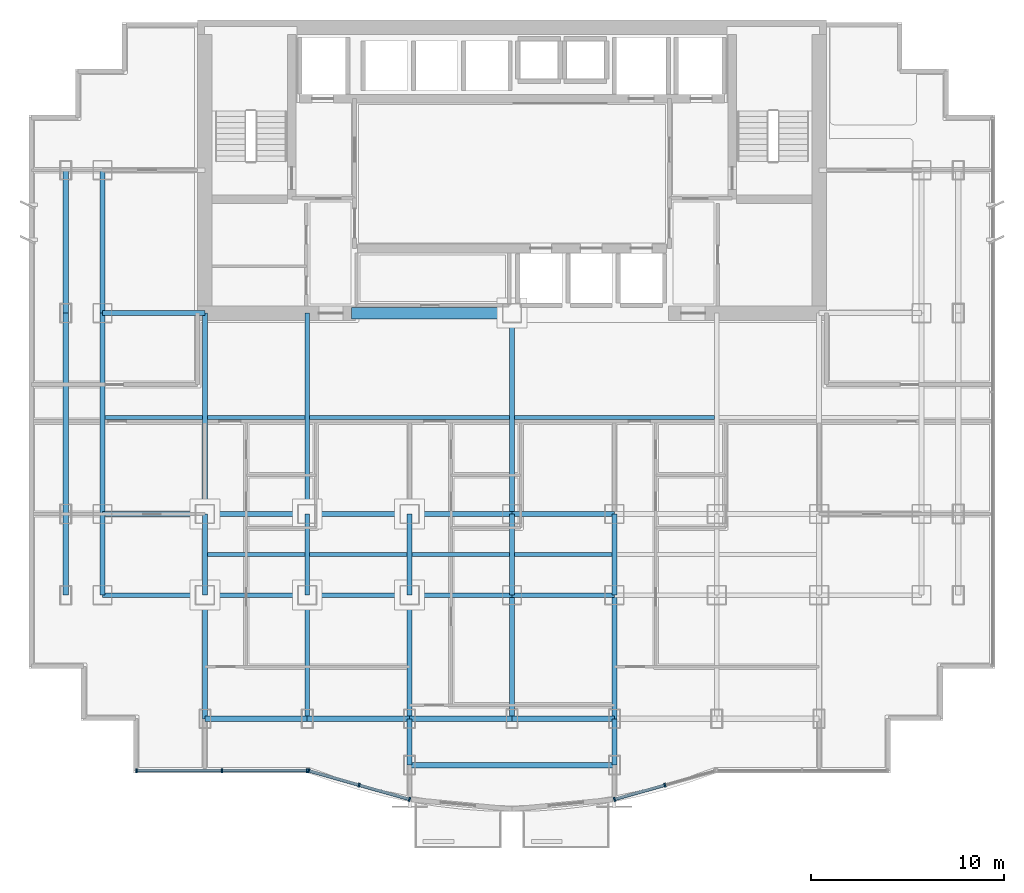
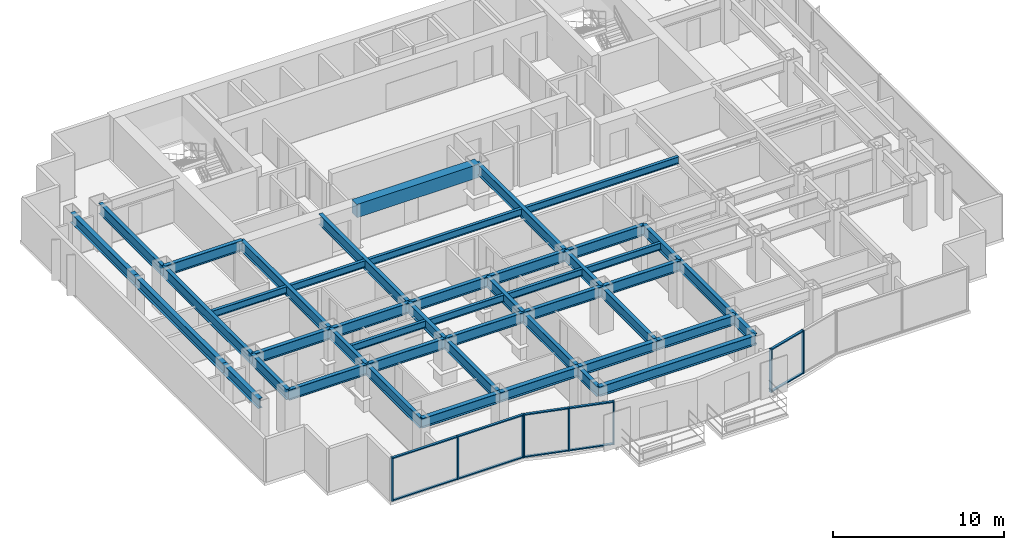
# One storey, part 2 of 11: 46 beams, 18 members, 3 elements without a shape of their own.
"""IFC4 building model written with IfcOpenShell, lengths in metres."""

from ifc_helpers import new_model, si_unit, direction, frame, origin, origin_2d, place, context, subcontext, project, spatial, rectangle, i_section, extrude, source, transform, mapped, material, layer, layer_set, material_profile, profile_set, type_object, element, aggregate, save


model = new_model("IFC4")

# Units and contexts
model_context = context("Model", 3, precision=1e-05, world=origin(), true_north=direction((0.0, 1.0)))
body_context = subcontext(model_context, "Body", "Model", "MODEL_VIEW")
ifc_project = project(units=[si_unit("LENGTHUNIT", "METRE"), si_unit("AREAUNIT", "SQUARE_METRE"), si_unit("VOLUMEUNIT", "CUBIC_METRE"), si_unit("PLANEANGLEUNIT", "RADIAN"), si_unit("MASSUNIT", "GRAM", prefix="KILO")], contexts=[model_context])

# Site, building, storey
site_placement = place(None, origin())
site = spatial("IfcSite", under=ifc_project, at=site_placement, CompositionType="ELEMENT")
building_placement = place(site_placement, origin())
building = spatial("IfcBuilding", under=site, at=building_placement, Name="Qianlan Lanfeng Residences", CompositionType="ELEMENT")
storey_placement = place(building_placement, frame((0.0, 0.0, 104.800048828125)))
storey = spatial("IfcBuildingStorey", under=building, at=storey_placement, Name="L28", CompositionType="ELEMENT", Elevation=104.800048828125)

# Beams
ifc_material_1 = material(Name="Steel SN490B", Category="steel")
ifc_material_profile_1 = material_profile(ifc_material_1, i_section(OverallWidth=0.25, OverallDepth=0.75, WebThickness=0.013916015625, FlangeThickness=0.02490234375, at=origin_2d()), Name="H 750x250x14x25")
ifc_profile_set_1 = profile_set([ifc_material_profile_1], Name="Steel SN490B")
beam_type_1 = type_object("IfcBeamType", Name="G-850", PredefinedType="BEAM", material=ifc_profile_set_1)
beam_1_placement = place(storey_placement, frame((5.300048828125, 10.60009765625, 2.71484375), z_axis=(1.0, 0.0, 0.0), x_axis=(0.0, 1.0, 0.0)))
element("IfcBeam", 1, at=beam_1_placement, inside=storey, type_object=beam_type_1, Name="Structural beam G-850", PredefinedType="BEAM", context=body_context, shape_type="SweptSolid", body=[
    extrude(i_section(OverallWidth=0.25, OverallDepth=0.75, WebThickness=0.013916015625, FlangeThickness=0.02490234375, at=origin_2d()), origin(), (0.0, 0.0, 1.0), 5.300048828125),
])
beam_2_placement = place(storey_placement, frame((10.60009765625, 10.60009765625, 2.71484375), z_axis=(1.0, 0.0, 0.0), x_axis=(0.0, 1.0, 0.0)))
element("IfcBeam", 2, at=beam_2_placement, inside=storey, type_object=beam_type_1, Name="Structural beam G-850", PredefinedType="BEAM", context=body_context, shape_type="SweptSolid", body=[
    extrude(i_section(OverallWidth=0.25, OverallDepth=0.75, WebThickness=0.013916015625, FlangeThickness=0.02490234375, at=origin_2d()), origin(), (0.0, 0.0, 1.0), 5.2998046875),
])
for number, where, z_axis, x_axis, name in (
    (3, (15.89990234375, 10.60009765625, 2.71484375), (1.0, 0.0, 0.0), (0.0, 1.0, 0.0), "Structural beam G-850"),
    (4, (21.199951171875, 10.60009765625, 2.71484375), (1.0, 0.0, 0.0), (0.0, 1.0, 0.0), "Structural beam G-850"),
    (5, (26.5, 10.60009765625, 2.71484375), (1.0, 0.0, 0.0), (0.0, 1.0, 0.0), "Structural beam G-850"),
    (6, (5.300048828125, 14.800048828125, 2.71484375), (1.0, 0.0, 0.0), (0.0, 1.0, 0.0), "Structural beam G-850"),
):
    element("IfcBeam", number, at=place(storey_placement, frame(where, z_axis=z_axis, x_axis=x_axis)), inside=storey, type_object=beam_type_1, Name=name, PredefinedType="BEAM", context=body_context, shape_type="SweptSolid", body=[
        extrude(i_section(OverallWidth=0.25, OverallDepth=0.75, WebThickness=0.013916015625, FlangeThickness=0.02490234375, at=origin_2d()), origin(), (0.0, 0.0, 1.0), 5.300048828125),
    ])
beam_3_placement = place(storey_placement, frame((10.60009765625, 14.800048828125, 2.71484375), z_axis=(1.0, 0.0, 0.0), x_axis=(0.0, 1.0, 0.0)))
element("IfcBeam", 7, at=beam_3_placement, inside=storey, type_object=beam_type_1, Name="Structural beam G-850", PredefinedType="BEAM", context=body_context, shape_type="SweptSolid", body=[
    extrude(i_section(OverallWidth=0.25, OverallDepth=0.75, WebThickness=0.013916015625, FlangeThickness=0.02490234375, at=origin_2d()), origin(), (0.0, 0.0, 1.0), 5.2998046875),
])
for number, where, z_axis, x_axis, name in (
    (8, (15.89990234375, 14.800048828125, 2.71484375), (1.0, 0.0, 0.0), (0.0, 1.0, 0.0), "Structural beam G-850"),
    (9, (21.199951171875, 14.800048828125, 2.71484375), (1.0, 0.0, 0.0), (0.0, 1.0, 0.0), "Structural beam G-850"),
    (10, (26.5, 14.800048828125, 2.71484375), (1.0, 0.0, 0.0), (0.0, 1.0, 0.0), "Structural beam G-850"),
    (11, (5.300048828125, 25.199951171875, 2.71484375), (1.0, 0.0, 0.0), (0.0, 1.0, 0.0), "Structural beam G-850"),
):
    element("IfcBeam", number, at=place(storey_placement, frame(where, z_axis=z_axis, x_axis=x_axis)), inside=storey, type_object=beam_type_1, Name=name, PredefinedType="BEAM", context=body_context, shape_type="SweptSolid", body=[
        extrude(i_section(OverallWidth=0.25, OverallDepth=0.75, WebThickness=0.013916015625, FlangeThickness=0.02490234375, at=origin_2d()), origin(), (0.0, 0.0, 1.0), 5.300048828125),
    ])
beam_4_placement = place(storey_placement, frame((5.300048828125, 10.60009765625, 2.71484375), z_axis=(0.0, 1.0, 0.0), x_axis=(-1.0, 0.0, 0.0)))
element("IfcBeam", 12, at=beam_4_placement, inside=storey, type_object=beam_type_1, Name="Structural beam G-850", PredefinedType="BEAM", context=body_context, shape_type="SweptSolid", body=[
    extrude(i_section(OverallWidth=0.25, OverallDepth=0.75, WebThickness=0.013916015625, FlangeThickness=0.02490234375, at=origin_2d()), origin(), (0.0, 0.0, 1.0), 4.199951171875),
])
beam_5_placement = place(storey_placement, frame((5.300048828125, 14.800048828125, 2.71484375), z_axis=(0.0, 1.0, 0.0), x_axis=(-1.0, 0.0, 0.0)))
element("IfcBeam", 13, at=beam_5_placement, inside=storey, type_object=beam_type_1, Name="Structural beam G-850", PredefinedType="BEAM", context=body_context, shape_type="SweptSolid", body=[
    extrude(i_section(OverallWidth=0.25, OverallDepth=0.75, WebThickness=0.013916015625, FlangeThickness=0.02490234375, at=origin_2d()), origin(), (0.0, 0.0, 1.0), 10.39990234375),
])
beam_6_placement = place(storey_placement, frame((5.300048828125, 25.199951171875, 2.71484375), z_axis=(0.0, 1.0, 0.0), x_axis=(-1.0, 0.0, 0.0)))
element("IfcBeam", 14, at=beam_6_placement, inside=storey, type_object=beam_type_1, Name="Structural beam G-850", PredefinedType="BEAM", context=body_context, shape_type="SweptSolid", body=[
    extrude(i_section(OverallWidth=0.25, OverallDepth=0.75, WebThickness=0.013916015625, FlangeThickness=0.02490234375, at=origin_2d()), origin(), (0.0, 0.0, 1.0), 7.400146484375),
])
beam_7_placement = place(storey_placement, frame((10.60009765625, 4.199951171875, 2.71484375), z_axis=(0.0, 1.0, 0.0), x_axis=(-1.0, 0.0, 0.0)))
element("IfcBeam", 15, at=beam_7_placement, inside=storey, type_object=beam_type_1, Name="Structural beam G-850", PredefinedType="BEAM", context=body_context, shape_type="SweptSolid", body=[
    extrude(i_section(OverallWidth=0.25, OverallDepth=0.75, WebThickness=0.013916015625, FlangeThickness=0.02490234375, at=origin_2d()), origin(), (0.0, 0.0, 1.0), 6.400146484375),
])
beam_8_placement = place(storey_placement, frame((10.60009765625, 10.60009765625, 2.71484375), z_axis=(0.0, 1.0, 0.0), x_axis=(-1.0, 0.0, 0.0)))
element("IfcBeam", 16, at=beam_8_placement, inside=storey, type_object=beam_type_1, Name="Structural beam G-850", PredefinedType="BEAM", context=body_context, shape_type="SweptSolid", body=[
    extrude(i_section(OverallWidth=0.25, OverallDepth=0.75, WebThickness=0.013916015625, FlangeThickness=0.02490234375, at=origin_2d()), origin(), (0.0, 0.0, 1.0), 4.199951171875),
])
beam_9_placement = place(storey_placement, frame((10.60009765625, 14.800048828125, 2.71484375), z_axis=(0.0, 1.0, 0.0), x_axis=(-1.0, 0.0, 0.0)))
element("IfcBeam", 17, at=beam_9_placement, inside=storey, type_object=beam_type_1, Name="Structural beam G-850", PredefinedType="BEAM", context=body_context, shape_type="SweptSolid", body=[
    extrude(i_section(OverallWidth=0.25, OverallDepth=0.75, WebThickness=0.013916015625, FlangeThickness=0.02490234375, at=origin_2d()), origin(), (0.0, 0.0, 1.0), 10.39990234375),
])
beam_10_placement = place(storey_placement, frame((15.89990234375, 4.199951171875, 2.71484375), z_axis=(0.0, 1.0, 0.0), x_axis=(-1.0, 0.0, 0.0)))
element("IfcBeam", 18, at=beam_10_placement, inside=storey, type_object=beam_type_1, Name="Structural beam G-850", PredefinedType="BEAM", context=body_context, shape_type="SweptSolid", body=[
    extrude(i_section(OverallWidth=0.25, OverallDepth=0.75, WebThickness=0.013916015625, FlangeThickness=0.02490234375, at=origin_2d()), origin(), (0.0, 0.0, 1.0), 6.400146484375),
])
beam_11_placement = place(storey_placement, frame((15.89990234375, 10.60009765625, 2.71484375), z_axis=(0.0, 1.0, 0.0), x_axis=(-1.0, 0.0, 0.0)))
element("IfcBeam", 19, at=beam_11_placement, inside=storey, type_object=beam_type_1, Name="Structural beam G-850", PredefinedType="BEAM", context=body_context, shape_type="SweptSolid", body=[
    extrude(i_section(OverallWidth=0.25, OverallDepth=0.75, WebThickness=0.013916015625, FlangeThickness=0.02490234375, at=origin_2d()), origin(), (0.0, 0.0, 1.0), 4.199951171875),
])
beam_12_placement = place(storey_placement, frame((15.89990234375, 14.800048828125, 2.71484375), z_axis=(0.0, 1.0, 0.0), x_axis=(-1.0, 0.0, 0.0)))
element("IfcBeam", 20, at=beam_12_placement, inside=storey, type_object=beam_type_1, Name="Structural beam G-850", PredefinedType="BEAM", context=body_context, shape_type="SweptSolid", body=[
    extrude(i_section(OverallWidth=0.25, OverallDepth=0.75, WebThickness=0.013916015625, FlangeThickness=0.02490234375, at=origin_2d()), origin(), (0.0, 0.0, 1.0), 10.39990234375),
])
beam_13_placement = place(storey_placement, frame((21.199951171875, 1.800048828125, 2.71484375), z_axis=(0.0, 1.0, 0.0), x_axis=(-1.0, 0.0, 0.0)))
element("IfcBeam", 21, at=beam_13_placement, inside=storey, type_object=beam_type_1, Name="Structural beam G-850", PredefinedType="BEAM", context=body_context, shape_type="SweptSolid", body=[
    extrude(i_section(OverallWidth=0.25, OverallDepth=0.75, WebThickness=0.013916015625, FlangeThickness=0.02490234375, at=origin_2d()), origin(), (0.0, 0.0, 1.0), 2.39990234375),
])
beam_14_placement = place(storey_placement, frame((21.199951171875, 4.199951171875, 2.71484375), z_axis=(0.0, 1.0, 0.0), x_axis=(-1.0, 0.0, 0.0)))
element("IfcBeam", 22, at=beam_14_placement, inside=storey, type_object=beam_type_1, Name="Structural beam G-850", PredefinedType="BEAM", context=body_context, shape_type="SweptSolid", body=[
    extrude(i_section(OverallWidth=0.25, OverallDepth=0.75, WebThickness=0.013916015625, FlangeThickness=0.02490234375, at=origin_2d()), origin(), (0.0, 0.0, 1.0), 6.400146484375),
])
beam_15_placement = place(storey_placement, frame((21.199951171875, 10.60009765625, 2.71484375), z_axis=(0.0, 1.0, 0.0), x_axis=(-1.0, 0.0, 0.0)))
element("IfcBeam", 23, at=beam_15_placement, inside=storey, type_object=beam_type_1, Name="Structural beam G-850", PredefinedType="BEAM", context=body_context, shape_type="SweptSolid", body=[
    extrude(i_section(OverallWidth=0.25, OverallDepth=0.75, WebThickness=0.013916015625, FlangeThickness=0.02490234375, at=origin_2d()), origin(), (0.0, 0.0, 1.0), 4.199951171875),
])
beam_16_placement = place(storey_placement, frame((26.5, 4.199951171875, 2.71484375), z_axis=(0.0, 1.0, 0.0), x_axis=(-1.0, 0.0, 0.0)))
element("IfcBeam", 24, at=beam_16_placement, inside=storey, type_object=beam_type_1, Name="Structural beam G-850", PredefinedType="BEAM", context=body_context, shape_type="SweptSolid", body=[
    extrude(i_section(OverallWidth=0.25, OverallDepth=0.75, WebThickness=0.013916015625, FlangeThickness=0.02490234375, at=origin_2d()), origin(), (0.0, 0.0, 1.0), 6.400146484375),
])
beam_17_placement = place(storey_placement, frame((26.5, 10.60009765625, 2.71484375), z_axis=(0.0, 1.0, 0.0), x_axis=(-1.0, 0.0, 0.0)))
element("IfcBeam", 25, at=beam_17_placement, inside=storey, type_object=beam_type_1, Name="Structural beam G-850", PredefinedType="BEAM", context=body_context, shape_type="SweptSolid", body=[
    extrude(i_section(OverallWidth=0.25, OverallDepth=0.75, WebThickness=0.013916015625, FlangeThickness=0.02490234375, at=origin_2d()), origin(), (0.0, 0.0, 1.0), 4.199951171875),
])
beam_18_placement = place(storey_placement, frame((26.5, 14.800048828125, 2.71484375), z_axis=(0.0, 1.0, 0.0), x_axis=(-1.0, 0.0, 0.0)))
element("IfcBeam", 26, at=beam_18_placement, inside=storey, type_object=beam_type_1, Name="Structural beam G-850", PredefinedType="BEAM", context=body_context, shape_type="SweptSolid", body=[
    extrude(i_section(OverallWidth=0.25, OverallDepth=0.75, WebThickness=0.013916015625, FlangeThickness=0.02490234375, at=origin_2d()), origin(), (0.0, 0.0, 1.0), 10.39990234375),
])
beam_19_placement = place(storey_placement, frame((31.800048828125, 1.800048828125, 2.71484375), z_axis=(0.0, 1.0, 0.0), x_axis=(-1.0, 0.0, 0.0)))
element("IfcBeam", 27, at=beam_19_placement, inside=storey, type_object=beam_type_1, Name="Structural beam G-850", PredefinedType="BEAM", context=body_context, shape_type="SweptSolid", body=[
    extrude(i_section(OverallWidth=0.25, OverallDepth=0.75, WebThickness=0.013916015625, FlangeThickness=0.02490234375, at=origin_2d()), origin(), (0.0, 0.0, 1.0), 2.39990234375),
])
beam_20_placement = place(storey_placement, frame((31.800048828125, 4.199951171875, 2.71484375), z_axis=(0.0, 1.0, 0.0), x_axis=(-1.0, 0.0, 0.0)))
element("IfcBeam", 28, at=beam_20_placement, inside=storey, type_object=beam_type_1, Name="Structural beam G-850", PredefinedType="BEAM", context=body_context, shape_type="SweptSolid", body=[
    extrude(i_section(OverallWidth=0.25, OverallDepth=0.75, WebThickness=0.013916015625, FlangeThickness=0.02490234375, at=origin_2d()), origin(), (0.0, 0.0, 1.0), 6.400146484375),
])
beam_21_placement = place(storey_placement, frame((31.800048828125, 10.60009765625, 2.71484375), z_axis=(0.0, 1.0, 0.0), x_axis=(-1.0, 0.0, 0.0)))
element("IfcBeam", 29, at=beam_21_placement, inside=storey, type_object=beam_type_1, Name="Structural beam G-850", PredefinedType="BEAM", context=body_context, shape_type="SweptSolid", body=[
    extrude(i_section(OverallWidth=0.25, OverallDepth=0.75, WebThickness=0.013916015625, FlangeThickness=0.02490234375, at=origin_2d()), origin(), (0.0, 0.0, 1.0), 4.199951171875),
])
ifc_material_profile_2 = material_profile(ifc_material_1, i_section(OverallWidth=0.199951171875, OverallDepth=0.5, WebThickness=0.010009765625, FlangeThickness=0.01611328125, at=origin_2d()), Name="H 500x200x10x16")
ifc_profile_set_2 = profile_set([ifc_material_profile_2], Name="Steel SN490B")
beam_type_2 = type_object("IfcBeamType", Name="J-500", PredefinedType="JOIST", material=ifc_profile_set_2)
beam_22_placement = place(storey_placement, frame((10.72509765625, 12.699951171875, 2.83984375), z_axis=(1.0, 0.0, 0.0), x_axis=(0.0, 1.0, 0.0)))
element("IfcBeam", 30, at=beam_22_placement, inside=storey, type_object=beam_type_2, Name="Structural beam J-500", PredefinedType="JOIST", context=body_context, shape_type="SweptSolid", body=[
    extrude(i_section(OverallWidth=0.199951171875, OverallDepth=0.5, WebThickness=0.010009765625, FlangeThickness=0.01611328125, at=origin_2d()), origin(), (0.0, 0.0, 1.0), 5.0498046875),
])
for number, where, z_axis, x_axis, name in (
    (31, (16.02490234375, 12.699951171875, 2.83984375), (1.0, 0.0, 0.0), (0.0, 1.0, 0.0), "Structural beam J-500"),
    (32, (21.324951171875, 12.699951171875, 2.83984375), (1.0, 0.0, 0.0), (0.0, 1.0, 0.0), "Structural beam J-500"),
    (33, (26.625, 12.699951171875, 2.83984375), (1.0, 0.0, 0.0), (0.0, 1.0, 0.0), "Structural beam J-500"),
    (34, (5.425048828125, 19.800048828125, 2.83984375), (1.0, 0.0, 0.0), (0.0, 1.0, 0.0), "Structural beam J-500"),
):
    element("IfcBeam", number, at=place(storey_placement, frame(where, z_axis=z_axis, x_axis=x_axis)), inside=storey, type_object=beam_type_2, Name=name, PredefinedType="JOIST", context=body_context, shape_type="SweptSolid", body=[
        extrude(i_section(OverallWidth=0.199951171875, OverallDepth=0.5, WebThickness=0.010009765625, FlangeThickness=0.01611328125, at=origin_2d()), origin(), (0.0, 0.0, 1.0), 5.050048828125),
    ])
beam_23_placement = place(storey_placement, frame((10.72509765625, 19.800048828125, 2.83984375), z_axis=(1.0, 0.0, 0.0), x_axis=(0.0, 1.0, 0.0)))
element("IfcBeam", 35, at=beam_23_placement, inside=storey, type_object=beam_type_2, Name="Structural beam J-500", PredefinedType="JOIST", context=body_context, shape_type="SweptSolid", body=[
    extrude(i_section(OverallWidth=0.199951171875, OverallDepth=0.5, WebThickness=0.010009765625, FlangeThickness=0.01611328125, at=origin_2d()), origin(), (0.0, 0.0, 1.0), 5.0498046875),
])
for number, where, z_axis, x_axis, name in (
    (36, (16.02490234375, 19.800048828125, 2.83984375), (1.0, 0.0, 0.0), (0.0, 1.0, 0.0), "Structural beam J-500"),
    (37, (26.625, 19.800048828125, 2.83984375), (1.0, 0.0, 0.0), (0.0, 1.0, 0.0), "Structural beam J-500"),
):
    element("IfcBeam", number, at=place(storey_placement, frame(where, z_axis=z_axis, x_axis=x_axis)), inside=storey, type_object=beam_type_2, Name=name, PredefinedType="JOIST", context=body_context, shape_type="SweptSolid", body=[
        extrude(i_section(OverallWidth=0.199951171875, OverallDepth=0.5, WebThickness=0.010009765625, FlangeThickness=0.01611328125, at=origin_2d()), origin(), (0.0, 0.0, 1.0), 10.35009765625),
    ])
ifc_material_2 = material(Name="Concrete C60", Category="concrete")
ifc_material_profile_3 = material_profile(ifc_material_2, rectangle(XDim=0.60009765625, YDim=0.949951171875, at=origin_2d()), Name="RC 600x950")
ifc_profile_set_3 = profile_set([ifc_material_profile_3], Name="Concrete C60")
beam_type_3 = type_object("IfcBeamType", Name="LB-RC900", PredefinedType="BEAM", material=ifc_profile_set_3)
beam_24_placement = place(storey_placement, frame((18.199951171875, 25.199951171875, 2.614990234375), z_axis=(1.0, 0.0, 0.0), x_axis=(0.0, 1.0, 0.0)))
element("IfcBeam", 38, at=beam_24_placement, inside=storey, type_object=beam_type_3, Name="L28 Core Coupling Beam W", PredefinedType="BEAM", context=body_context, shape_type="SweptSolid", body=[
    extrude(rectangle(XDim=0.60009765625, YDim=0.949951171875, at=origin_2d()), origin(), (0.0, 0.0, 1.0), 8.300048828125),
])
ifc_material_profile_4 = material_profile(ifc_material_1, i_section(OverallWidth=0.300048828125, OverallDepth=0.699951171875, WebThickness=0.012939453125, FlangeThickness=0.02392578125, at=origin_2d()), Name="H 700x300x13x24")
ifc_profile_set_4 = profile_set([ifc_material_profile_4], Name="Steel SN490B")
beam_type_4 = type_object("IfcBeamType", Name="SG-750", PredefinedType="SPANDREL", material=ifc_profile_set_4)
beam_25_placement = place(storey_placement, frame((21.199951171875, 1.800048828125, 2.739990234375), z_axis=(1.0, 0.0, 0.0), x_axis=(0.0, 1.0, 0.0)))
element("IfcBeam", 39, at=beam_25_placement, inside=storey, type_object=beam_type_4, Name="Structural beam SG-750", PredefinedType="SPANDREL", context=body_context, shape_type="SweptSolid", body=[
    extrude(i_section(OverallWidth=0.300048828125, OverallDepth=0.699951171875, WebThickness=0.012939453125, FlangeThickness=0.02392578125, at=origin_2d()), origin(), (0.0, 0.0, 1.0), 10.60009765625),
])
beam_26_placement = place(storey_placement, frame((10.60009765625, 4.199951171875, 2.739990234375), z_axis=(1.0, 0.0, 0.0), x_axis=(0.0, 1.0, 0.0)))
element("IfcBeam", 40, at=beam_26_placement, inside=storey, type_object=beam_type_4, Name="Structural beam SG-750", PredefinedType="SPANDREL", context=body_context, shape_type="SweptSolid", body=[
    extrude(i_section(OverallWidth=0.300048828125, OverallDepth=0.699951171875, WebThickness=0.012939453125, FlangeThickness=0.02392578125, at=origin_2d()), origin(), (0.0, 0.0, 1.0), 5.2998046875),
])
for number, where, z_axis, x_axis, name in (
    (41, (15.89990234375, 4.199951171875, 2.739990234375), (1.0, 0.0, 0.0), (0.0, 1.0, 0.0), "Structural beam SG-750"),
    (42, (21.199951171875, 4.199951171875, 2.739990234375), (1.0, 0.0, 0.0), (0.0, 1.0, 0.0), "Structural beam SG-750"),
    (43, (26.5, 4.199951171875, 2.739990234375), (1.0, 0.0, 0.0), (0.0, 1.0, 0.0), "Structural beam SG-750"),
):
    element("IfcBeam", number, at=place(storey_placement, frame(where, z_axis=z_axis, x_axis=x_axis)), inside=storey, type_object=beam_type_4, Name=name, PredefinedType="SPANDREL", context=body_context, shape_type="SweptSolid", body=[
        extrude(i_section(OverallWidth=0.300048828125, OverallDepth=0.699951171875, WebThickness=0.012939453125, FlangeThickness=0.02392578125, at=origin_2d()), origin(), (0.0, 0.0, 1.0), 5.300048828125),
    ])
beam_27_placement = place(storey_placement, frame((3.39990234375, 10.60009765625, 2.739990234375), z_axis=(0.0, 1.0, 0.0), x_axis=(-1.0, 0.0, 0.0)))
element("IfcBeam", 44, at=beam_27_placement, inside=storey, type_object=beam_type_4, Name="Structural beam SG-750", PredefinedType="SPANDREL", context=body_context, shape_type="SweptSolid", body=[
    extrude(i_section(OverallWidth=0.300048828125, OverallDepth=0.699951171875, WebThickness=0.012939453125, FlangeThickness=0.02392578125, at=origin_2d()), origin(), (0.0, 0.0, 1.0), 4.199951171875),
])
beam_28_placement = place(storey_placement, frame((3.39990234375, 14.800048828125, 2.739990234375), z_axis=(0.0, 1.0, 0.0), x_axis=(-1.0, 0.0, 0.0)))
element("IfcBeam", 45, at=beam_28_placement, inside=storey, type_object=beam_type_4, Name="Structural beam SG-750", PredefinedType="SPANDREL", context=body_context, shape_type="SweptSolid", body=[
    extrude(i_section(OverallWidth=0.300048828125, OverallDepth=0.699951171875, WebThickness=0.012939453125, FlangeThickness=0.02392578125, at=origin_2d()), origin(), (0.0, 0.0, 1.0), 10.39990234375),
])
beam_29_placement = place(storey_placement, frame((3.39990234375, 25.199951171875, 2.739990234375), z_axis=(0.0, 1.0, 0.0), x_axis=(-1.0, 0.0, 0.0)))
element("IfcBeam", 46, at=beam_29_placement, inside=storey, type_object=beam_type_4, Name="Structural beam SG-750", PredefinedType="SPANDREL", context=body_context, shape_type="SweptSolid", body=[
    extrude(i_section(OverallWidth=0.300048828125, OverallDepth=0.699951171875, WebThickness=0.012939453125, FlangeThickness=0.02392578125, at=origin_2d()), origin(), (0.0, 0.0, 1.0), 7.400146484375),
])

# Curtain wall, members
ifc_material_3 = material(Name="Anodised Bronze Aluminium 6063-T6", Category="aluminium")
ifc_layer = layer(ifc_material_3, 0.219970703125)
ifc_layer_set = layer_set([ifc_layer], Name="Anodised Bronze Aluminium 6063-T6")
curtain_wall_type = type_object("IfcCurtainWallType", Name="CW-03", PredefinedType="NOTDEFINED", material=ifc_layer_set)
curtain_wall_1_placement = place(storey_placement, origin())
curtain_wall_1 = element("IfcCurtainWall", 47, at=curtain_wall_1_placement, inside=storey, type_object=curtain_wall_type, Name="L28 Unitised Curtain Wall CWR-L28-01 (CW-03)", PredefinedType="NOTDEFINED")
ifc_material_profile_5 = material_profile(ifc_material_3, rectangle(XDim=0.080078125, YDim=0.159912109375, at=origin_2d()), Name="ALU TRANSOM 80x160")
ifc_profile_set_5 = profile_set([ifc_material_profile_5], Name="Anodised Bronze Aluminium 6063-T6")
member_type_1 = type_object("IfcMemberType", Name="CWT-180", PredefinedType="USERDEFINED", material=ifc_profile_set_5)
shared_shape_1 = source(origin(), body_context, "Body", "SweptSolid", [
    extrude(rectangle(XDim=0.080078125, YDim=0.159912109375, at=origin_2d()), origin(), (0.0, 0.0, 1.0), 4.34033203125),
])
member_1_placement = place(storey_placement, frame((7.10009765625, 1.52001953125, 0.0400390625), z_axis=(1.0, 0.0, 0.0), x_axis=(0.0, 0.0, 1.0)))
member_1 = element("IfcMember", 48, at=member_1_placement, type_object=member_type_1, Name="CWR-L28-01 Transom 1-BOT", ObjectType="TRANSOM", PredefinedType="USERDEFINED", context=body_context, shape_type="MappedRepresentation", body=[
    mapped(shared_shape_1, transform((0.0, 0.0, 0.0), scale=1.0)),
])
member_2_placement = place(storey_placement, frame((7.10009765625, 1.52001953125, 3.050048828125), z_axis=(1.0, 0.0, 0.0), x_axis=(0.0, 0.0, 1.0)))
member_2 = element("IfcMember", 49, at=member_2_placement, type_object=member_type_1, Name="CWR-L28-01 Transom 1-TOP", ObjectType="TRANSOM", PredefinedType="USERDEFINED", context=body_context, shape_type="MappedRepresentation", body=[
    mapped(shared_shape_1, transform((0.0, 0.0, 0.0), scale=1.0)),
])
shared_shape_2 = source(origin(), body_context, "Body", "SweptSolid", [
    extrude(rectangle(XDim=0.080078125, YDim=0.159912109375, at=origin_2d()), origin(), (0.0, 0.0, 1.0), 4.340576171875),
])
member_3_placement = place(storey_placement, frame((11.5205078125, 1.52001953125, 0.0400390625), z_axis=(1.0, 0.0, 0.0), x_axis=(0.0, 0.0, 1.0)))
member_3 = element("IfcMember", 50, at=member_3_placement, type_object=member_type_1, Name="CWR-L28-01 Transom 2-BOT", ObjectType="TRANSOM", PredefinedType="USERDEFINED", context=body_context, shape_type="MappedRepresentation", body=[
    mapped(shared_shape_2, transform((0.0, 0.0, 0.0), scale=1.0)),
])
member_4_placement = place(storey_placement, frame((11.5205078125, 1.52001953125, 3.050048828125), z_axis=(1.0, 0.0, 0.0), x_axis=(0.0, 0.0, 1.0)))
member_4 = element("IfcMember", 51, at=member_4_placement, type_object=member_type_1, Name="CWR-L28-01 Transom 2-TOP", ObjectType="TRANSOM", PredefinedType="USERDEFINED", context=body_context, shape_type="MappedRepresentation", body=[
    mapped(shared_shape_2, transform((0.0, 0.0, 0.0), scale=1.0)),
])

curtain_wall_2_placement = place(storey_placement, origin())
curtain_wall_2 = element("IfcCurtainWall", 52, at=curtain_wall_2_placement, inside=storey, type_object=curtain_wall_type, Name="L28 Unitised Curtain Wall CWR-L28-02 (CW-03)", PredefinedType="NOTDEFINED")
shared_shape_3 = source(origin(), body_context, "Body", "SweptSolid", [
    extrude(rectangle(XDim=0.080078125, YDim=0.159912109375, at=origin_2d()), origin(), (0.0, 0.0, 1.0), 2.630126953125),
])
member_5_placement = place(storey_placement, frame((16.01806640625, 1.498291015625, 0.0400390625), z_axis=(0.961960587005, -0.273188266675, 0.0), x_axis=(0.0, 0.0, 1.0)))
member_5 = element("IfcMember", 53, at=member_5_placement, type_object=member_type_1, Name="CWR-L28-02 Transom 1-BOT", ObjectType="TRANSOM", PredefinedType="USERDEFINED", context=body_context, shape_type="MappedRepresentation", body=[
    mapped(shared_shape_3, transform((0.0, 0.0, 0.0), scale=1.0)),
])
member_6_placement = place(storey_placement, frame((16.01806640625, 1.498291015625, 3.050048828125), z_axis=(0.961960587005, -0.273188266675, 0.0), x_axis=(0.0, 0.0, 1.0)))
member_6 = element("IfcMember", 54, at=member_6_placement, type_object=member_type_1, Name="CWR-L28-02 Transom 1-TOP", ObjectType="TRANSOM", PredefinedType="USERDEFINED", context=body_context, shape_type="MappedRepresentation", body=[
    mapped(shared_shape_3, transform((0.0, 0.0, 0.0), scale=1.0)),
])
member_7_placement = place(storey_placement, frame((18.625, 0.758056640625, 0.0400390625), z_axis=(0.961984978242, -0.273102364758, 0.0), x_axis=(0.0, 0.0, 1.0)))
member_7 = element("IfcMember", 55, at=member_7_placement, type_object=member_type_1, Name="CWR-L28-02 Transom 2-BOT", ObjectType="TRANSOM", PredefinedType="USERDEFINED", context=body_context, shape_type="MappedRepresentation", body=[
    mapped(shared_shape_3, transform((0.0, 0.0, 0.0), scale=1.0)),
])
member_8_placement = place(storey_placement, frame((18.625, 0.758056640625, 3.050048828125), z_axis=(0.961984978242, -0.273102364758, 0.0), x_axis=(0.0, 0.0, 1.0)))
member_8 = element("IfcMember", 56, at=member_8_placement, type_object=member_type_1, Name="CWR-L28-02 Transom 2-TOP", ObjectType="TRANSOM", PredefinedType="USERDEFINED", context=body_context, shape_type="MappedRepresentation", body=[
    mapped(shared_shape_3, transform((0.0, 0.0, 0.0), scale=1.0)),
])

curtain_wall_3_placement = place(storey_placement, origin())
curtain_wall_3 = element("IfcCurtainWall", 57, at=curtain_wall_3_placement, inside=storey, type_object=curtain_wall_type, Name="L28 Unitised Curtain Wall CWR-L28-03 (CW-03)", PredefinedType="NOTDEFINED")
member_9_placement = place(storey_placement, frame((31.844970703125, 0.039794921875, 0.0400390625), z_axis=(0.961984978242, 0.273102364758, 0.0), x_axis=(0.0, 0.0, 1.0)))
member_9 = element("IfcMember", 58, at=member_9_placement, type_object=member_type_1, Name="CWR-L28-03 Transom 1-BOT", ObjectType="TRANSOM", PredefinedType="USERDEFINED", context=body_context, shape_type="MappedRepresentation", body=[
    mapped(shared_shape_3, transform((0.0, 0.0, 0.0), scale=1.0)),
])
member_10_placement = place(storey_placement, frame((31.844970703125, 0.039794921875, 3.050048828125), z_axis=(0.961984978242, 0.273102364758, 0.0), x_axis=(0.0, 0.0, 1.0)))
member_10 = element("IfcMember", 59, at=member_10_placement, type_object=member_type_1, Name="CWR-L28-03 Transom 1-TOP", ObjectType="TRANSOM", PredefinedType="USERDEFINED", context=body_context, shape_type="MappedRepresentation", body=[
    mapped(shared_shape_3, transform((0.0, 0.0, 0.0), scale=1.0)),
])

# Member
ifc_material_profile_6 = material_profile(ifc_material_3, rectangle(XDim=0.080078125, YDim=0.2099609375, at=origin_2d()), Name="ALU MULLION 80x210")
ifc_profile_set_6 = profile_set([ifc_material_profile_6], Name="Anodised Bronze Aluminium 6063-T6")
member_type_2 = type_object("IfcMemberType", Name="CWM-220", PredefinedType="MULLION", material=ifc_profile_set_6)
shared_shape_4 = source(origin(), body_context, "Body", "SweptSolid", [
    extrude(rectangle(XDim=0.080078125, YDim=0.2099609375, at=origin_2d()), origin(), (0.0, 0.0, 1.0), 3.08984375),
])
member_11_placement = place(storey_placement, frame((7.06005859375, 1.52001953125, 0.0), z_axis=(0.0, 0.0, 1.0), x_axis=(1.0, 0.0, 0.0)))
member_11 = element("IfcMember", 60, at=member_11_placement, type_object=member_type_2, Name="CWR-L28-01 Mullion 1", PredefinedType="MULLION", context=body_context, shape_type="MappedRepresentation", body=[
    mapped(shared_shape_4, transform((0.0, 0.0, 0.0), scale=1.0)),
])

member_12_placement = place(storey_placement, frame((11.48046875, 1.52001953125, 0.0), z_axis=(0.0, 0.0, 1.0), x_axis=(1.0, 0.0, 0.0)))
member_12 = element("IfcMember", 61, at=member_12_placement, type_object=member_type_2, Name="CWR-L28-01 Mullion 2", PredefinedType="MULLION", context=body_context, shape_type="MappedRepresentation", body=[
    mapped(shared_shape_4, transform((0.0, 0.0, 0.0), scale=1.0)),
])

member_13_placement = place(storey_placement, frame((15.90087890625, 1.52001953125, 0.0), z_axis=(0.0, 0.0, 1.0), x_axis=(1.0, 0.0, 0.0)))
member_13 = element("IfcMember", 62, at=member_13_placement, type_object=member_type_2, Name="CWR-L28-01 Mullion 3", PredefinedType="MULLION", context=body_context, shape_type="MappedRepresentation", body=[
    mapped(shared_shape_4, transform((0.0, 0.0, 0.0), scale=1.0)),
])

aggregate(curtain_wall_1, [member_11, member_12, member_13, member_1, member_2, member_3, member_4])

member_14_placement = place(storey_placement, frame((15.9794921875, 1.509033203125, 0.0), z_axis=(0.0, 0.0, 1.0), x_axis=(0.961989074302, -0.273087936247, 0.0)))
member_14 = element("IfcMember", 63, at=member_14_placement, type_object=member_type_2, Name="CWR-L28-02 Mullion 1", PredefinedType="MULLION", context=body_context, shape_type="MappedRepresentation", body=[
    mapped(shared_shape_4, transform((0.0, 0.0, 0.0), scale=1.0)),
])

member_15_placement = place(storey_placement, frame((18.58642578125, 0.76904296875, 0.0), z_axis=(0.0, 0.0, 1.0), x_axis=(0.961989074302, -0.273087936247, 0.0)))
member_15 = element("IfcMember", 64, at=member_15_placement, type_object=member_type_2, Name="CWR-L28-02 Mullion 2", PredefinedType="MULLION", context=body_context, shape_type="MappedRepresentation", body=[
    mapped(shared_shape_4, transform((0.0, 0.0, 0.0), scale=1.0)),
])

member_16_placement = place(storey_placement, frame((21.193603515625, 0.02880859375, 0.0), z_axis=(0.0, 0.0, 1.0), x_axis=(0.961989074302, -0.273087936247, 0.0)))
member_16 = element("IfcMember", 65, at=member_16_placement, type_object=member_type_2, Name="CWR-L28-02 Mullion 3", PredefinedType="MULLION", context=body_context, shape_type="MappedRepresentation", body=[
    mapped(shared_shape_4, transform((0.0, 0.0, 0.0), scale=1.0)),
])

aggregate(curtain_wall_2, [member_14, member_15, member_16, member_5, member_6, member_7, member_8])

member_17_placement = place(storey_placement, frame((31.806396484375, 0.02880859375, 0.0), z_axis=(0.0, 0.0, 1.0), x_axis=(0.961989074302, 0.273087936247, 0.0)))
member_17 = element("IfcMember", 66, at=member_17_placement, type_object=member_type_2, Name="CWR-L28-03 Mullion 1", PredefinedType="MULLION", context=body_context, shape_type="MappedRepresentation", body=[
    mapped(shared_shape_4, transform((0.0, 0.0, 0.0), scale=1.0)),
])

member_18_placement = place(storey_placement, frame((34.41357421875, 0.76904296875, 0.0), z_axis=(0.0, 0.0, 1.0), x_axis=(0.961989074302, 0.273087936247, 0.0)))
member_18 = element("IfcMember", 67, at=member_18_placement, type_object=member_type_2, Name="CWR-L28-03 Mullion 2", PredefinedType="MULLION", context=body_context, shape_type="MappedRepresentation", body=[
    mapped(shared_shape_4, transform((0.0, 0.0, 0.0), scale=1.0)),
])

aggregate(curtain_wall_3, [member_17, member_18, member_9, member_10])

save(model, "model.ifc")
